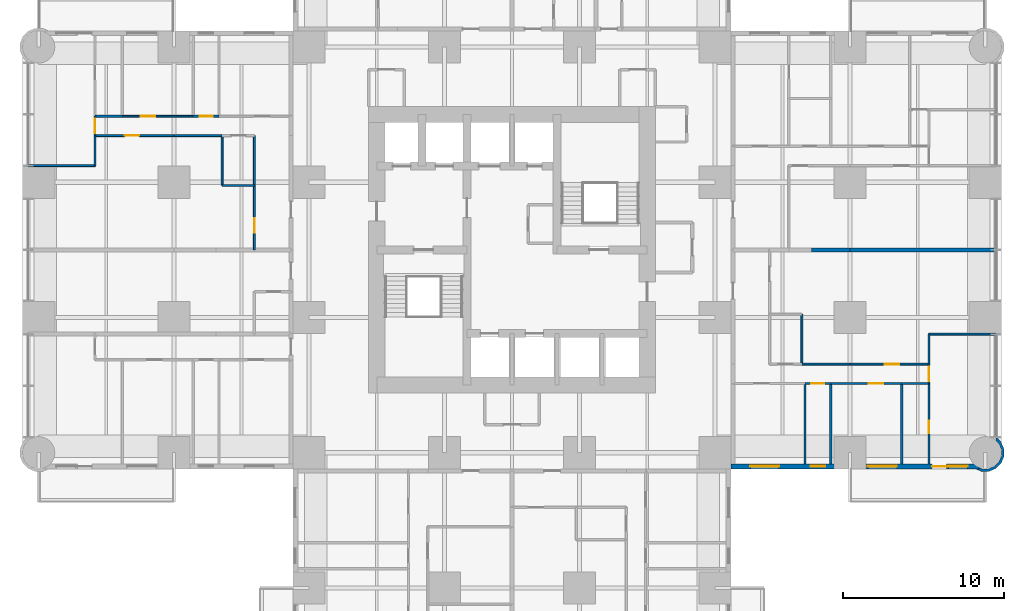
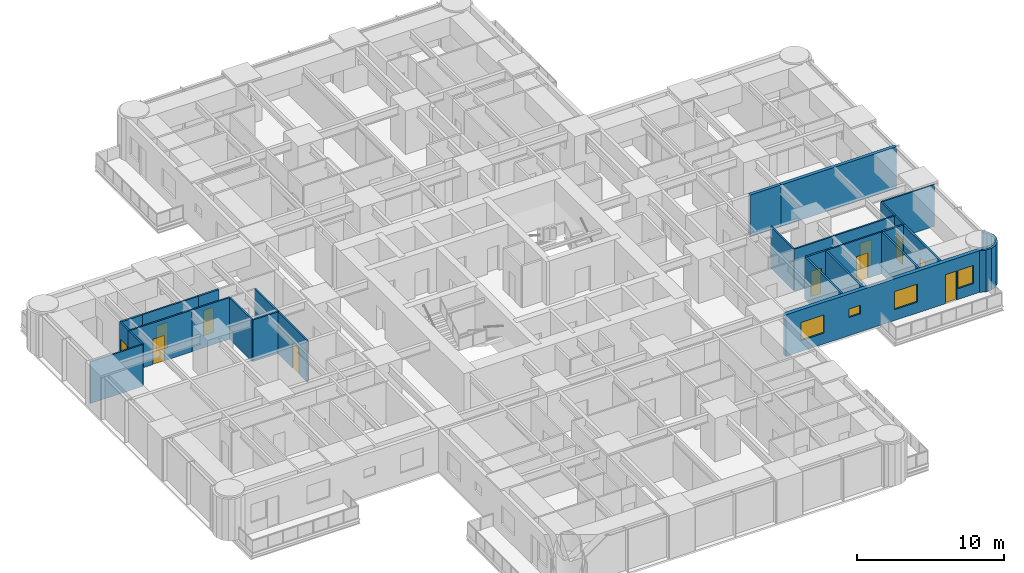
# One storey, part 11 of 17: 29 walls, 11 doors, 4 windows, 15 openings.
"""IFC4 building model written with IfcOpenShell, lengths in metres."""

from ifc_helpers import new_model, si_unit, direction, frame, frame_2d, origin, place, context, subcontext, project, spatial, polyline, rectangle, outline, extrude, material, layer, layer_set, type_object, element, fill, save


model = new_model("IFC4")

# Units and contexts
model_context = context("Model", 3, precision=1e-05, world=origin(), true_north=direction((0.0, 1.0)))
body_context = subcontext(model_context, "Body", "Model", "MODEL_VIEW")
ifc_project = project(units=[si_unit("LENGTHUNIT", "METRE"), si_unit("AREAUNIT", "SQUARE_METRE"), si_unit("VOLUMEUNIT", "CUBIC_METRE"), si_unit("PLANEANGLEUNIT", "RADIAN"), si_unit("MASSUNIT", "GRAM", prefix="KILO")], contexts=[model_context])

# Site, building, storey
site_placement = place(None, origin())
site = spatial("IfcSite", under=ifc_project, at=site_placement, CompositionType="ELEMENT")
building_placement = place(site_placement, origin())
building = spatial("IfcBuilding", under=site, at=building_placement, Name="Torre Alcanfor", CompositionType="ELEMENT")
storey_placement = place(building_placement, frame((0.0, 0.0, 95.699951171875)))
storey = spatial("IfcBuildingStorey", under=building, at=storey_placement, Name="L24", CompositionType="ELEMENT", Elevation=95.699951171875)

# Walls
ifc_material_1 = material(Name="Gypsum board on steel studs", Category="steel")
ifc_layer_1 = layer(ifc_material_1, 0.1201171875)
ifc_layer_set_1 = layer_set([ifc_layer_1], Name="Apartment partition 120")
wall_type_1 = type_object("IfcWallType", Name="Apartment partition 120", PredefinedType="PARTITIONING", material=ifc_layer_set_1)
wall_1_placement = place(storey_placement, frame((47.39990234375, 22.300048828125, 0.0), z_axis=(0.0, 0.0, 1.0), x_axis=(0.0, 1.0, 0.0)))
element("IfcWall", 1, at=wall_1_placement, inside=storey, type_object=wall_type_1, Name="Partition L24-E2-KITCHEN / L24-E2-UTIL", PredefinedType="PARTITIONING", context=body_context, shape_type="SweptSolid", body=[
    extrude(rectangle(XDim=3.099853515625, YDim=0.1201171875, at=frame_2d((1.5498046875, 0.0))), origin(), (0.0, 0.0, 1.0), 3.449951171875),
])
wall_2_placement = place(storey_placement, frame((50.39990234375, 22.300048828125, 0.0), z_axis=(0.0, 0.0, 1.0), x_axis=(-1.0, 0.0, 0.0)))
element("IfcWall", 2, at=wall_2_placement, inside=storey, type_object=wall_type_1, Name="Partition L24-E2-KITCHEN / L24-E2-HALL", PredefinedType="PARTITIONING", context=body_context, shape_type="SweptSolid", body=[
    extrude(rectangle(XDim=3.0, YDim=0.1201171875, at=frame_2d((1.5, 0.0))), origin(), (0.0, 0.0, 1.0), 3.449951171875),
])

# Wall, opening, door
wall_3_placement = place(storey_placement, frame((55.300048828125, 22.300048828125, 0.0), z_axis=(0.0, 0.0, 1.0), x_axis=(-1.0, 0.0, 0.0)))
wall_3 = element("IfcWall", 3, at=wall_3_placement, inside=storey, type_object=wall_type_1, Name="Partition L24-E2-LIVING / L24-E2-HALL", PredefinedType="PARTITIONING", context=body_context, shape_type="SweptSolid", body=[
    extrude(rectangle(XDim=4.900146484375, YDim=0.1201171875, at=frame_2d((2.4501953125, 0.0))), origin(), (0.0, 0.0, 1.0), 3.449951171875),
])
opening_1_placement = place(wall_3_placement, frame((1.85009765625, 0.0, 0.0)))
opening_1 = element("IfcOpeningElement", 4, at=opening_1_placement, cuts=wall_3, Name="Opening D-R1", PredefinedType="OPENING", context=body_context, shape_type="SweptSolid", body=[
    extrude(rectangle(XDim=0.89990234375, YDim=2.10009765625, at=frame_2d((0.449951171875, 1.050048828125))), frame((0.0, 0.070068359375, 0.0), z_axis=(0.0, -1.0, 0.0), x_axis=(1.0, 0.0, 0.0)), (0.0, 0.0, 1.0), 0.14013671875),
])
ifc_material_2 = material(Name="Timber", Category="wood")
door_type_1 = type_object("IfcDoorType", Name="Internal door 900x2100", OperationType="SINGLE_SWING_LEFT", PredefinedType="DOOR", material=ifc_material_2)
door_1_placement = place(opening_1_placement, frame((0.89990234375, 0.0, 0.0), z_axis=(0.0, 0.0, 1.0), x_axis=(-1.0, 0.0, 0.0)))
door_1 = element("IfcDoor", 5, at=door_1_placement, inside=storey, type_object=door_type_1, Name="Door L24-E2 living", OperationType="SINGLE_SWING_RIGHT", OverallHeight=2.10009765625, OverallWidth=0.89990234375, PredefinedType="DOOR", context=body_context, shape_type="SweptSolid", body=[
    extrude(rectangle(XDim=0.89990234375, YDim=2.10009765625, at=frame_2d((0.449951171875, 1.050048828125))), frame((0.0, 0.025146484375, 0.0), z_axis=(0.0, -1.0, 0.0), x_axis=(1.0, 0.0, 0.0)), (0.0, 0.0, 1.0), 0.050048828125),
])
fill(opening_1, door_1)

# Walls
wall_4_placement = place(storey_placement, frame((59.449951171875, 24.1708984375, 0.0), z_axis=(0.0, 0.0, 1.0), x_axis=(-1.0, 0.0, 0.0)))
element("IfcWall", 6, at=wall_4_placement, inside=storey, type_object=wall_type_1, Name="Partition L24-E2-LIVING / L24-E2-MASTER", PredefinedType="PARTITIONING", context=body_context, shape_type="SweptSolid", body=[
    extrude(rectangle(XDim=4.14990234375, YDim=0.1201171875, at=frame_2d((2.074951171875, 0.0))), origin(), (0.0, 0.0, 1.0), 3.449951171875),
])
wall_5_placement = place(storey_placement, frame((55.300048828125, 24.1708984375, 0.0), z_axis=(0.0, 0.0, 1.0), x_axis=(0.0, -1.0, 0.0)))
element("IfcWall", 7, at=wall_5_placement, inside=storey, type_object=wall_type_1, Name="Partition L24-E2-LIVING / L24-E2-MASTER", PredefinedType="PARTITIONING", context=body_context, shape_type="SweptSolid", body=[
    extrude(rectangle(XDim=1.870849609375, YDim=0.1201171875, at=frame_2d((0.935546875, 0.0))), origin(), (0.0, 0.0, 1.0), 3.449951171875),
])

# Wall, opening, door
wall_6_placement = place(storey_placement, frame((53.60009765625, 21.10009765625, 0.0), z_axis=(0.0, 0.0, 1.0), x_axis=(-1.0, 0.0, 0.0)))
wall_6 = element("IfcWall", 8, at=wall_6_placement, inside=storey, type_object=wall_type_1, Name="Partition L24-E2-HALL / L24-E2-BED2", PredefinedType="PARTITIONING", context=body_context, shape_type="SweptSolid", body=[
    extrude(rectangle(XDim=4.400146484375, YDim=0.1201171875, at=frame_2d((2.2001953125, 0.0))), origin(), (0.0, 0.0, 1.0), 3.449951171875),
])
opening_2_placement = place(wall_6_placement, frame((1.14990234375, 0.0, 0.0)))
opening_2 = element("IfcOpeningElement", 9, at=opening_2_placement, cuts=wall_6, Name="Opening D-R1", PredefinedType="OPENING", context=body_context, shape_type="SweptSolid", body=[
    extrude(rectangle(XDim=0.89990234375, YDim=2.10009765625, at=frame_2d((0.449951171875, 1.050048828125))), frame((0.0, 0.070068359375, 0.0), z_axis=(0.0, -1.0, 0.0), x_axis=(1.0, 0.0, 0.0)), (0.0, 0.0, 1.0), 0.14013671875),
])
door_2_placement = place(opening_2_placement, origin())
door_2 = element("IfcDoor", 10, at=door_2_placement, inside=storey, type_object=door_type_1, Name="Door L24-E2 bed2", OperationType="SINGLE_SWING_LEFT", OverallHeight=2.10009765625, OverallWidth=0.89990234375, PredefinedType="DOOR", context=body_context, shape_type="SweptSolid", body=[
    extrude(rectangle(XDim=0.89990234375, YDim=2.10009765625, at=frame_2d((0.449951171875, 1.050048828125))), frame((0.0, 0.02490234375, 0.0), z_axis=(0.0, -1.0, 0.0), x_axis=(1.0, 0.0, 0.0)), (0.0, 0.0, 1.0), 0.050048828125),
])
fill(opening_2, door_2)

wall_7_placement = place(storey_placement, frame((55.300048828125, 22.300048828125, 0.0), z_axis=(0.0, 0.0, 1.0), x_axis=(0.0, -1.0, 0.0)))
wall_7 = element("IfcWall", 11, at=wall_7_placement, inside=storey, type_object=wall_type_1, Name="Partition L24-E2-HALL / L24-E2-MASTER", PredefinedType="PARTITIONING", context=body_context, shape_type="SweptSolid", body=[
    extrude(rectangle(XDim=1.199951171875, YDim=0.1201171875, at=frame_2d((0.60009765625, 0.0))), origin(), (0.0, 0.0, 1.0), 3.449951171875),
])
opening_3_placement = place(wall_7_placement, frame((0.14990234375, 0.0, 0.0)))
opening_3 = element("IfcOpeningElement", 12, at=opening_3_placement, cuts=wall_7, Name="Opening D-R1", PredefinedType="OPENING", context=body_context, shape_type="SweptSolid", body=[
    extrude(rectangle(XDim=0.89990234375, YDim=2.10009765625, at=frame_2d((0.449951171875, 1.050048828125))), frame((0.0, 0.070068359375, 0.0), z_axis=(0.0, -1.0, 0.0), x_axis=(1.0, 0.0, 0.0)), (0.0, 0.0, 1.0), 0.14013671875),
])
door_3_placement = place(opening_3_placement, origin())
door_3 = element("IfcDoor", 13, at=door_3_placement, inside=storey, type_object=door_type_1, Name="Door L24-E2 master", OperationType="SINGLE_SWING_LEFT", OverallHeight=2.10009765625, OverallWidth=0.89990234375, PredefinedType="DOOR", context=body_context, shape_type="SweptSolid", body=[
    extrude(rectangle(XDim=0.89990234375, YDim=2.10009765625, at=frame_2d((0.449951171875, 1.050048828125))), frame((0.0, 0.02490234375, 0.0), z_axis=(0.0, -1.0, 0.0), x_axis=(1.0, 0.0, 0.0)), (0.0, 0.0, 1.0), 0.050048828125),
])
fill(opening_3, door_3)

wall_8_placement = place(storey_placement, frame((13.39990234375, 29.39990234375, 0.0), z_axis=(0.0, 0.0, 1.0), x_axis=(0.0, 1.0, 0.0)))
wall_8 = element("IfcWall", 14, at=wall_8_placement, inside=storey, type_object=wall_type_1, Name="Partition L24-W2-ZAG / L24-W2-KITCHEN", PredefinedType="PARTITIONING", context=body_context, shape_type="SweptSolid", body=[
    extrude(rectangle(XDim=4.0, YDim=0.1201171875, at=frame_2d((2.0, 0.0))), origin(), (0.0, 0.0, 1.0), 3.449951171875),
])
opening_4_placement = place(wall_8_placement, frame((1.050048828125, 0.0, 0.0)))
opening_4 = element("IfcOpeningElement", 15, at=opening_4_placement, cuts=wall_8, Name="Opening D-R1", PredefinedType="OPENING", context=body_context, shape_type="SweptSolid", body=[
    extrude(rectangle(XDim=0.89990234375, YDim=2.10009765625, at=frame_2d((0.449951171875, 1.050048828125))), frame((0.0, 0.070068359375, 0.0), z_axis=(0.0, -1.0, 0.0), x_axis=(1.0, 0.0, 0.0)), (0.0, 0.0, 1.0), 0.14013671875),
])
door_4_placement = place(opening_4_placement, origin())
door_4 = element("IfcDoor", 16, at=door_4_placement, inside=storey, type_object=door_type_1, Name="Door L24-W2 kitchen", OperationType="SINGLE_SWING_LEFT", OverallHeight=2.10009765625, OverallWidth=0.89990234375, PredefinedType="DOOR", context=body_context, shape_type="SweptSolid", body=[
    extrude(rectangle(XDim=0.89990234375, YDim=2.10009765625, at=frame_2d((0.449951171875, 1.050048828125))), frame((0.0, 0.02490234375, 0.0), z_axis=(0.0, -1.0, 0.0), x_axis=(1.0, 0.0, 0.0)), (0.0, 0.0, 1.0), 0.050048828125),
])
fill(opening_4, door_4)

# Walls
for number, where, z_axis, x_axis, name in (
    (17, (13.39990234375, 33.39990234375, 0.0), (0.0, 0.0, 1.0), (0.0, 1.0, 0.0), "Partition L24-W2-ZAG / L24-W2-UTIL"),
    (18, (11.39990234375, 36.5, 0.0), (0.0, 0.0, 1.0), (0.0, -1.0, 0.0), "Partition L24-W2-KITCHEN / L24-W2-UTIL"),
):
    element("IfcWall", number, at=place(storey_placement, frame(where, z_axis=z_axis, x_axis=x_axis)), inside=storey, type_object=wall_type_1, Name=name, PredefinedType="PARTITIONING", context=body_context, shape_type="SweptSolid", body=[
        extrude(rectangle(XDim=3.10009765625, YDim=0.1201171875, at=frame_2d((1.550048828125, 0.0))), origin(), (0.0, 0.0, 1.0), 3.449951171875),
    ])
wall_9_placement = place(storey_placement, frame((11.39990234375, 33.39990234375, 0.0), z_axis=(0.0, 0.0, 1.0), x_axis=(1.0, 0.0, 0.0)))
element("IfcWall", 19, at=wall_9_placement, inside=storey, type_object=wall_type_1, Name="Partition L24-W2-KITCHEN / L24-W2-UTIL", PredefinedType="PARTITIONING", context=body_context, shape_type="SweptSolid", body=[
    extrude(rectangle(XDim=2.0, YDim=0.1201171875, at=frame_2d((1.0, 0.0))), origin(), (0.0, 0.0, 1.0), 3.449951171875),
])
wall_10_placement = place(storey_placement, frame((8.39990234375, 36.5, 0.0), z_axis=(0.0, 0.0, 1.0), x_axis=(1.0, 0.0, 0.0)))
element("IfcWall", 20, at=wall_10_placement, inside=storey, type_object=wall_type_1, Name="Partition L24-W2-KITCHEN / L24-W2-HALL", PredefinedType="PARTITIONING", context=body_context, shape_type="SweptSolid", body=[
    extrude(rectangle(XDim=3.0, YDim=0.1201171875, at=frame_2d((1.5, 0.0))), origin(), (0.0, 0.0, 1.0), 3.449951171875),
])

# Wall, opening, door
wall_11_placement = place(storey_placement, frame((3.5, 36.5, 0.0), z_axis=(0.0, 0.0, 1.0), x_axis=(1.0, 0.0, 0.0)))
wall_11 = element("IfcWall", 21, at=wall_11_placement, inside=storey, type_object=wall_type_1, Name="Partition L24-W2-LIVING / L24-W2-HALL", PredefinedType="PARTITIONING", context=body_context, shape_type="SweptSolid", body=[
    extrude(rectangle(XDim=4.89990234375, YDim=0.1201171875, at=frame_2d((2.449951171875, 0.0))), origin(), (0.0, 0.0, 1.0), 3.449951171875),
])
opening_5_placement = place(wall_11_placement, frame((1.85009765625, 0.0, 0.0)))
opening_5 = element("IfcOpeningElement", 22, at=opening_5_placement, cuts=wall_11, Name="Opening D-R1", PredefinedType="OPENING", context=body_context, shape_type="SweptSolid", body=[
    extrude(rectangle(XDim=0.89990234375, YDim=2.10009765625, at=frame_2d((0.449951171875, 1.050048828125))), frame((0.0, 0.070068359375, 0.0), z_axis=(0.0, -1.0, 0.0), x_axis=(1.0, 0.0, 0.0)), (0.0, 0.0, 1.0), 0.14013671875),
])
door_5_placement = place(opening_5_placement, frame((0.89990234375, 0.0, 0.0), z_axis=(0.0, 0.0, 1.0), x_axis=(-1.0, 0.0, 0.0)))
door_5 = element("IfcDoor", 23, at=door_5_placement, inside=storey, type_object=door_type_1, Name="Door L24-W2 living", OperationType="SINGLE_SWING_RIGHT", OverallHeight=2.10009765625, OverallWidth=0.89990234375, PredefinedType="DOOR", context=body_context, shape_type="SweptSolid", body=[
    extrude(rectangle(XDim=0.89990234375, YDim=2.10009765625, at=frame_2d((0.449951171875, 1.050048828125))), frame((0.0, 0.025146484375, 0.0), z_axis=(0.0, -1.0, 0.0), x_axis=(1.0, 0.0, 0.0)), (0.0, 0.0, 1.0), 0.050048828125),
])
fill(opening_5, door_5)

# Walls
wall_12_placement = place(storey_placement, frame((-0.64990234375, 34.62890625, 0.0), z_axis=(0.0, 0.0, 1.0), x_axis=(1.0, 0.0, 0.0)))
element("IfcWall", 24, at=wall_12_placement, inside=storey, type_object=wall_type_1, Name="Partition L24-W2-LIVING / L24-W2-MASTER", PredefinedType="PARTITIONING", context=body_context, shape_type="SweptSolid", body=[
    extrude(rectangle(XDim=4.14990234375, YDim=0.1201171875, at=frame_2d((2.074951171875, 0.0))), origin(), (0.0, 0.0, 1.0), 3.449951171875),
])
wall_13_placement = place(storey_placement, frame((3.5, 34.62890625, 0.0), z_axis=(0.0, 0.0, 1.0), x_axis=(0.0, 1.0, 0.0)))
element("IfcWall", 25, at=wall_13_placement, inside=storey, type_object=wall_type_1, Name="Partition L24-W2-LIVING / L24-W2-MASTER", PredefinedType="PARTITIONING", context=body_context, shape_type="SweptSolid", body=[
    extrude(rectangle(XDim=1.87109375, YDim=0.1201171875, at=frame_2d((0.935546875, 0.0))), origin(), (0.0, 0.0, 1.0), 3.449951171875),
])

# Wall, opening, door
wall_14_placement = place(storey_placement, frame((5.199951171875, 37.699951171875, 0.0), z_axis=(0.0, 0.0, 1.0), x_axis=(1.0, 0.0, 0.0)))
wall_14 = element("IfcWall", 26, at=wall_14_placement, inside=storey, type_object=wall_type_1, Name="Partition L24-W2-HALL / L24-W2-BED2", PredefinedType="PARTITIONING", context=body_context, shape_type="SweptSolid", body=[
    extrude(rectangle(XDim=4.400146484375, YDim=0.1201171875, at=frame_2d((2.2001953125, 0.0))), origin(), (0.0, 0.0, 1.0), 3.449951171875),
])
opening_6_placement = place(wall_14_placement, frame((1.14990234375, 0.0, 0.0)))
opening_6 = element("IfcOpeningElement", 27, at=opening_6_placement, cuts=wall_14, Name="Opening D-R1", PredefinedType="OPENING", context=body_context, shape_type="SweptSolid", body=[
    extrude(rectangle(XDim=0.89990234375, YDim=2.10009765625, at=frame_2d((0.449951171875, 1.050048828125))), frame((0.0, 0.070068359375, 0.0), z_axis=(0.0, -1.0, 0.0), x_axis=(1.0, 0.0, 0.0)), (0.0, 0.0, 1.0), 0.14013671875),
])
door_6_placement = place(opening_6_placement, origin())
door_6 = element("IfcDoor", 28, at=door_6_placement, inside=storey, type_object=door_type_1, Name="Door L24-W2 bed2", OperationType="SINGLE_SWING_LEFT", OverallHeight=2.10009765625, OverallWidth=0.89990234375, PredefinedType="DOOR", context=body_context, shape_type="SweptSolid", body=[
    extrude(rectangle(XDim=0.89990234375, YDim=2.10009765625, at=frame_2d((0.449951171875, 1.050048828125))), frame((0.0, 0.02490234375, 0.0), z_axis=(0.0, -1.0, 0.0), x_axis=(1.0, 0.0, 0.0)), (0.0, 0.0, 1.0), 0.050048828125),
])
fill(opening_6, door_6)

wall_15_placement = place(storey_placement, frame((3.5, 36.5, 0.0), z_axis=(0.0, 0.0, 1.0), x_axis=(0.0, 1.0, 0.0)))
wall_15 = element("IfcWall", 29, at=wall_15_placement, inside=storey, type_object=wall_type_1, Name="Partition L24-W2-HALL / L24-W2-MASTER", PredefinedType="PARTITIONING", context=body_context, shape_type="SweptSolid", body=[
    extrude(rectangle(XDim=1.199951171875, YDim=0.1201171875, at=frame_2d((0.60009765625, 0.0))), origin(), (0.0, 0.0, 1.0), 3.449951171875),
])
opening_7_placement = place(wall_15_placement, frame((0.14990234375, 0.0, 0.0)))
opening_7 = element("IfcOpeningElement", 30, at=opening_7_placement, cuts=wall_15, Name="Opening D-R1", PredefinedType="OPENING", context=body_context, shape_type="SweptSolid", body=[
    extrude(rectangle(XDim=0.89990234375, YDim=2.10009765625, at=frame_2d((0.449951171875, 1.050048828125))), frame((0.0, 0.070068359375, 0.0), z_axis=(0.0, -1.0, 0.0), x_axis=(1.0, 0.0, 0.0)), (0.0, 0.0, 1.0), 0.14013671875),
])
door_7_placement = place(opening_7_placement, origin())
door_7 = element("IfcDoor", 31, at=door_7_placement, inside=storey, type_object=door_type_1, Name="Door L24-W2 master", OperationType="SINGLE_SWING_LEFT", OverallHeight=2.10009765625, OverallWidth=0.89990234375, PredefinedType="DOOR", context=body_context, shape_type="SweptSolid", body=[
    extrude(rectangle(XDim=0.89990234375, YDim=2.10009765625, at=frame_2d((0.449951171875, 1.050048828125))), frame((0.0, 0.02490234375, 0.0), z_axis=(0.0, -1.0, 0.0), x_axis=(1.0, 0.0, 0.0)), (0.0, 0.0, 1.0), 0.050048828125),
])
fill(opening_7, door_7)

# Wall, openings, door, windows
ifc_material_3 = material(Name="Limestone cladding", Category="masonry")
ifc_layer_2 = layer(ifc_material_3, 0.0400390625, Name="Facing")
ifc_material_4 = material(Name="Ventilated air cavity")
ifc_layer_3 = layer(ifc_material_4, 0.02001953125, ventilated=True, Name="Ventilated joint")
ifc_material_5 = material(Name="Mineral wool insulation", Category="insulation")
ifc_layer_4 = layer(ifc_material_5, 0.10009765625, Name="Insulation")
ifc_material_6 = material(Name="Concrete f'c 35 MPa", Category="concrete")
ifc_layer_5 = layer(ifc_material_6, 0.139892578125, Name="Backing")
ifc_layer_set_2 = layer_set([ifc_layer_2, ifc_layer_3, ifc_layer_4, ifc_layer_5], Name="External wall stone-clad 300")
wall_type_2 = type_object("IfcWallType", Name="External wall stone-clad 300", PredefinedType="SOLIDWALL", material=ifc_layer_set_2)
wall_16_placement = place(storey_placement, frame((43.0, 15.949951171875, 0.0), z_axis=(0.0, 0.0, 1.0), x_axis=(1.0, 0.0, 0.0)))
wall_16 = element("IfcWall", 32, at=wall_16_placement, inside=storey, type_object=wall_type_2, Name="External wall L24 7", PredefinedType="SOLIDWALL", context=body_context, shape_type="SweptSolid", body=[
    extrude(rectangle(XDim=15.39990234375, YDim=0.300048828125, at=frame_2d((7.699951171875, 0.0))), origin(), (0.0, 0.0, 1.0), 3.449951171875),
])
opening_8_placement = place(wall_16_placement, frame((1.199951171875, 0.0, 0.89990234375)))
opening_8 = element("IfcOpeningElement", 33, at=opening_8_placement, cuts=wall_16, Name="Opening W2", PredefinedType="OPENING", context=body_context, shape_type="SweptSolid", body=[
    extrude(rectangle(XDim=1.800048828125, YDim=1.5, at=frame_2d((0.89990234375, 0.75))), frame((0.0, 0.159912109375, 0.0), z_axis=(0.0, -1.0, 0.0), x_axis=(1.0, 0.0, 0.0)), (0.0, 0.0, 1.0), 0.320068359375),
])
opening_9_placement = place(wall_16_placement, frame((4.949951171875, 0.0, 1.5)))
opening_9 = element("IfcOpeningElement", 34, at=opening_9_placement, cuts=wall_16, Name="Opening W3", PredefinedType="OPENING", context=body_context, shape_type="SweptSolid", body=[
    extrude(rectangle(XDim=0.89990234375, YDim=0.699951171875, at=frame_2d((0.449951171875, 0.35009765625))), frame((0.0, 0.159912109375, 0.0), z_axis=(0.0, -1.0, 0.0), x_axis=(1.0, 0.0, 0.0)), (0.0, 0.0, 1.0), 0.320068359375),
])
opening_10_placement = place(wall_16_placement, frame((8.5, 0.0, 0.89990234375)))
opening_10 = element("IfcOpeningElement", 35, at=opening_10_placement, cuts=wall_16, Name="Opening W2", PredefinedType="OPENING", context=body_context, shape_type="SweptSolid", body=[
    extrude(rectangle(XDim=1.800048828125, YDim=1.5, at=frame_2d((0.89990234375, 0.75))), frame((0.0, 0.159912109375, 0.0), z_axis=(0.0, -1.0, 0.0), x_axis=(1.0, 0.0, 0.0)), (0.0, 0.0, 1.0), 0.320068359375),
])
opening_11_placement = place(wall_16_placement, frame((12.5, 0.0, 0.0)))
opening_11 = element("IfcOpeningElement", 36, at=opening_11_placement, cuts=wall_16, Name="Opening D-B1", PredefinedType="OPENING", context=body_context, shape_type="SweptSolid", body=[
    extrude(rectangle(XDim=0.89990234375, YDim=2.39990234375, at=frame_2d((0.449951171875, 1.199951171875))), frame((0.0, 0.159912109375, 0.0), z_axis=(0.0, -1.0, 0.0), x_axis=(1.0, 0.0, 0.0)), (0.0, 0.0, 1.0), 0.320068359375),
])
opening_12_placement = place(wall_16_placement, frame((13.5, 0.0, 0.89990234375)))
opening_12 = element("IfcOpeningElement", 37, at=opening_12_placement, cuts=wall_16, Name="Opening W4", PredefinedType="OPENING", context=body_context, shape_type="SweptSolid", body=[
    extrude(rectangle(XDim=1.199951171875, YDim=1.5, at=frame_2d((0.60009765625, 0.75))), frame((0.0, 0.159912109375, 0.0), z_axis=(0.0, -1.0, 0.0), x_axis=(1.0, 0.0, 0.0)), (0.0, 0.0, 1.0), 0.320068359375),
])
ifc_material_7 = material(Name="Aluminium and glass", Category="aluminium")
door_type_2 = type_object("IfcDoorType", Name="Balcony door glazed 900x2400", OperationType="SINGLE_SWING_LEFT", PredefinedType="DOOR", material=ifc_material_7)
door_8_placement = place(opening_11_placement, origin())
door_8 = element("IfcDoor", 38, at=door_8_placement, inside=storey, type_object=door_type_2, Name="Balcony door L24-E2", OperationType="SINGLE_SWING_LEFT", OverallHeight=2.39990234375, OverallWidth=0.89990234375, PredefinedType="DOOR", context=body_context, shape_type="SweptSolid", body=[
    extrude(rectangle(XDim=0.89990234375, YDim=2.39990234375, at=frame_2d((0.449951171875, 1.199951171875))), frame((0.0, 0.02490234375, 0.0), z_axis=(0.0, -1.0, 0.0), x_axis=(1.0, 0.0, 0.0)), (0.0, 0.0, 1.0), 0.050048828125),
])
fill(opening_11, door_8)
ifc_material_8 = material(Name="Aluminium frame with clear double glazing", Category="aluminium")
window_type_1 = type_object("IfcWindowType", Name="Window bathroom 900x700", PartitioningType="SINGLE_PANEL", PredefinedType="WINDOW", material=ifc_material_8)
window_1_placement = place(opening_9_placement, origin())
window_1 = element("IfcWindow", 39, at=window_1_placement, inside=storey, type_object=window_type_1, Name="Window W3 L24-E2", OverallHeight=0.699951171875, OverallWidth=0.89990234375, PartitioningType="SINGLE_PANEL", PredefinedType="WINDOW", context=body_context, shape_type="SweptSolid", body=[
    extrude(rectangle(XDim=0.89990234375, YDim=0.699951171875, at=frame_2d((0.449951171875, 0.35009765625))), frame((0.0, 0.030029296875, 0.0), z_axis=(0.0, -1.0, 0.0), x_axis=(1.0, 0.0, 0.0)), (0.0, 0.0, 1.0), 0.06005859375),
])
fill(opening_9, window_1)
ifc_material_9 = material(Name="Aluminium frame with clear double glazing", Category="aluminium")
window_type_2 = type_object("IfcWindowType", Name="Window bedroom 1200x1500", PartitioningType="SINGLE_PANEL", PredefinedType="WINDOW", material=ifc_material_9)
window_2_placement = place(opening_12_placement, origin())
window_2 = element("IfcWindow", 40, at=window_2_placement, inside=storey, type_object=window_type_2, Name="Window W4 L24-E2", OverallHeight=1.5, OverallWidth=1.199951171875, PartitioningType="SINGLE_PANEL", PredefinedType="WINDOW", context=body_context, shape_type="SweptSolid", body=[
    extrude(rectangle(XDim=1.199951171875, YDim=1.5, at=frame_2d((0.60009765625, 0.75))), frame((0.0, 0.030029296875, 0.0), z_axis=(0.0, -1.0, 0.0), x_axis=(1.0, 0.0, 0.0)), (0.0, 0.0, 1.0), 0.06005859375),
])
fill(opening_12, window_2)
ifc_material_10 = material(Name="Aluminium frame with clear double glazing", Category="aluminium")
window_type_3 = type_object("IfcWindowType", Name="Window bedroom 1800x1500", PartitioningType="SINGLE_PANEL", PredefinedType="WINDOW", material=ifc_material_10)
window_3_placement = place(opening_8_placement, origin())
window_3 = element("IfcWindow", 41, at=window_3_placement, inside=storey, type_object=window_type_3, Name="Window W2 L24-E2", OverallHeight=1.5, OverallWidth=1.800048828125, PartitioningType="SINGLE_PANEL", PredefinedType="WINDOW", context=body_context, shape_type="SweptSolid", body=[
    extrude(rectangle(XDim=1.800048828125, YDim=1.5, at=frame_2d((0.89990234375, 0.75))), frame((0.0, 0.030029296875, 0.0), z_axis=(0.0, -1.0, 0.0), x_axis=(1.0, 0.0, 0.0)), (0.0, 0.0, 1.0), 0.06005859375),
])
fill(opening_8, window_3)
window_4_placement = place(opening_10_placement, origin())
window_4 = element("IfcWindow", 42, at=window_4_placement, inside=storey, type_object=window_type_3, Name="Window W2 L24-E2", OverallHeight=1.5, OverallWidth=1.800048828125, PartitioningType="SINGLE_PANEL", PredefinedType="WINDOW", context=body_context, shape_type="SweptSolid", body=[
    extrude(rectangle(XDim=1.800048828125, YDim=1.5, at=frame_2d((0.89990234375, 0.75))), frame((0.0, 0.030029296875, 0.0), z_axis=(0.0, -1.0, 0.0), x_axis=(1.0, 0.0, 0.0)), (0.0, 0.0, 1.0), 0.06005859375),
])
fill(opening_10, window_4)

# Walls
ifc_material_11 = material(Name="Concrete block masonry, hollow blocks NMX-C-404 9 MPa", Category="masonry")
ifc_layer_6 = layer(ifc_material_11, 0.25)
ifc_layer_set_3 = layer_set([ifc_layer_6], Name="Party wall 250 EI 60")
wall_type_3 = type_object("IfcWallType", Name="Party wall 250 EI 60", PredefinedType="PARTITIONING", material=ifc_layer_set_3)
wall_17_placement = place(storey_placement, frame((48.0, 29.39990234375, 0.0), z_axis=(0.0, 0.0, 1.0), x_axis=(1.0, 0.0, 0.0)))
element("IfcWall", 43, at=wall_17_placement, inside=storey, type_object=wall_type_3, Name="Partition L24-E1-KITCHEN / L24-E2-KITCHEN", PredefinedType="PARTITIONING", context=body_context, shape_type="SweptSolid", body=[
    extrude(rectangle(XDim=2.39990234375, YDim=0.25, at=frame_2d((1.199951171875, 0.0))), origin(), (0.0, 0.0, 1.0), 3.449951171875),
])
wall_18_placement = place(storey_placement, frame((50.39990234375, 29.39990234375, 0.0), z_axis=(0.0, 0.0, 1.0), x_axis=(1.0, 0.0, 0.0)))
element("IfcWall", 44, at=wall_18_placement, inside=storey, type_object=wall_type_3, Name="Partition L24-E1-LIVING / L24-E2-LIVING", PredefinedType="PARTITIONING", context=body_context, shape_type="SweptSolid", body=[
    extrude(rectangle(XDim=9.050048828125, YDim=0.25, at=frame_2d((4.52490234375, 0.0))), origin(), (0.0, 0.0, 1.0), 3.449951171875),
])
ifc_layer_7 = layer(ifc_material_3, 0.0400390625, Name="Facing")
ifc_layer_8 = layer(ifc_material_4, 0.02001953125, ventilated=True, Name="Ventilated joint")
ifc_layer_9 = layer(ifc_material_5, 0.10009765625, Name="Insulation")
ifc_layer_10 = layer(ifc_material_6, 0.139892578125, Name="Backing")
ifc_layer_set_4 = layer_set([ifc_layer_7, ifc_layer_8, ifc_layer_9, ifc_layer_10], Name="Rounded corner pier stone-clad 300")
wall_type_4 = type_object("IfcWallType", Name="Rounded corner pier stone-clad 300", PredefinedType="SOLIDWALL", material=ifc_layer_set_4)
wall_19_placement = place(storey_placement, frame((58.23289825, 15.880872367, 0.0), z_axis=(0.0, 0.0, 1.0), x_axis=(0.831199417842, -0.555974394895, 0.0)))
element("IfcWall", 45, at=wall_19_placement, inside=storey, type_object=wall_type_4, Name="Corner pier L24 17", PredefinedType="SOLIDWALL", context=body_context, shape_type="SweptSolid", body=[
    extrude(outline(polyline([(0.07490720727941269, 2.077056255461323), (0.35058090932236585, 2.0223606576391724), (0.6817630015684193, 1.801245056986267), (0.903148313597983, 1.470266968485048), (0.9810743332201726, 1.079752919387694), (0.9033971723616075, 0.6891358831375273), (0.6822815717087017, 0.357953790891474), (0.3513034832074829, 0.13656847886191043), (0.12609277122820509, 0.09166858659136967), (0.18374952362157154, 0.02566952150671363), (0.0035480873315148972, -0.09486398988645157), (0.41362540229185946, -0.013251520497138292), (0.7971622430443449, 0.2432893990220985), (1.053204411415727, 0.6272053345699222), (1.1431780027429084, 1.0797981539575094), (1.0527653834116597, 1.5324531516331712), (0.796224463892423, 1.9159899923856565), (0.4125114578899711, 2.172167896693292), (0.01728884083330451, 2.2505828385341395), (-0.023094138695660904, 2.22357138721968), (0.07490720727941269, 2.077056255461323)])), origin(), (0.0, 0.0, 1.0), 3.449951171875),
])

# Wall, opening, door
ifc_material_12 = material(Name="Cement board on steel studs", Category="steel")
ifc_layer_11 = layer(ifc_material_12, 0.14990234375)
ifc_layer_set_5 = layer_set([ifc_layer_11], Name="Wet area partition 150")
wall_type_5 = type_object("IfcWallType", Name="Wet area partition 150", PredefinedType="PARTITIONING", material=ifc_layer_set_5)
wall_20_placement = place(storey_placement, frame((49.199951171875, 21.10009765625, 0.0), z_axis=(0.0, 0.0, 1.0), x_axis=(-1.0, 0.0, 0.0)))
wall_20 = element("IfcWall", 46, at=wall_20_placement, inside=storey, type_object=wall_type_5, Name="Partition L24-E2-HALL / L24-E2-BATH1", PredefinedType="PARTITIONING", context=body_context, shape_type="SweptSolid", body=[
    extrude(rectangle(XDim=1.599853515625, YDim=0.14990234375, at=frame_2d((0.7998046875, 0.0))), origin(), (0.0, 0.0, 1.0), 3.449951171875),
])
opening_13_placement = place(wall_20_placement, frame((0.39990234375, 0.0, 0.0)))
opening_13 = element("IfcOpeningElement", 47, at=opening_13_placement, cuts=wall_20, Name="Opening D-R2", PredefinedType="OPENING", context=body_context, shape_type="SweptSolid", body=[
    extrude(rectangle(XDim=0.800048828125, YDim=2.10009765625, at=frame_2d((0.39990234375, 1.050048828125))), frame((0.0, 0.0849609375, 0.0), z_axis=(0.0, -1.0, 0.0), x_axis=(1.0, 0.0, 0.0)), (0.0, 0.0, 1.0), 0.169921875),
])
ifc_material_13 = material(Name="Timber", Category="wood")
door_type_3 = type_object("IfcDoorType", Name="Bathroom door 800x2100", OperationType="SINGLE_SWING_LEFT", PredefinedType="DOOR", material=ifc_material_13)
door_9_placement = place(opening_13_placement, origin())
door_9 = element("IfcDoor", 48, at=door_9_placement, inside=storey, type_object=door_type_3, Name="Door L24-E2 bath1", OperationType="SINGLE_SWING_LEFT", OverallHeight=2.10009765625, OverallWidth=0.800048828125, PredefinedType="DOOR", context=body_context, shape_type="SweptSolid", body=[
    extrude(rectangle(XDim=0.800048828125, YDim=2.10009765625, at=frame_2d((0.39990234375, 1.050048828125))), frame((0.0, 0.02490234375, 0.0), z_axis=(0.0, -1.0, 0.0), x_axis=(1.0, 0.0, 0.0)), (0.0, 0.0, 1.0), 0.050048828125),
])
fill(opening_13, door_9)

# Walls
wall_21_placement = place(storey_placement, frame((55.300048828125, 21.10009765625, 0.0), z_axis=(0.0, 0.0, 1.0), x_axis=(-1.0, 0.0, 0.0)))
element("IfcWall", 49, at=wall_21_placement, inside=storey, type_object=wall_type_5, Name="Partition L24-E2-HALL / L24-E2-ENSBATH", PredefinedType="PARTITIONING", context=body_context, shape_type="SweptSolid", body=[
    extrude(rectangle(XDim=1.699951171875, YDim=0.14990234375, at=frame_2d((0.85009765625, 0.0))), origin(), (0.0, 0.0, 1.0), 3.449951171875),
])
for number, where, z_axis, x_axis, name in (
    (50, (47.60009765625, 21.10009765625, 0.0), (0.0, 0.0, 1.0), (0.0, -1.0, 0.0), "Partition L24-E2-BED3 / L24-E2-BATH1"),
    (51, (49.199951171875, 21.10009765625, 0.0), (0.0, 0.0, 1.0), (0.0, -1.0, 0.0), "Partition L24-E2-BATH1 / L24-E2-BED2"),
    (52, (53.60009765625, 21.10009765625, 0.0), (0.0, 0.0, 1.0), (0.0, -1.0, 0.0), "Partition L24-E2-BED2 / L24-E2-ENSBATH"),
):
    element("IfcWall", number, at=place(storey_placement, frame(where, z_axis=z_axis, x_axis=x_axis)), inside=storey, type_object=wall_type_5, Name=name, PredefinedType="PARTITIONING", context=body_context, shape_type="SweptSolid", body=[
        extrude(rectangle(XDim=5.0, YDim=0.14990234375, at=frame_2d((2.5, 0.0))), origin(), (0.0, 0.0, 1.0), 3.449951171875),
    ])

# Wall, opening, door
wall_22_placement = place(storey_placement, frame((55.300048828125, 21.10009765625, 0.0), z_axis=(0.0, 0.0, 1.0), x_axis=(0.0, -1.0, 0.0)))
wall_22 = element("IfcWall", 53, at=wall_22_placement, inside=storey, type_object=wall_type_5, Name="Partition L24-E2-ENSBATH / L24-E2-MASTER", PredefinedType="PARTITIONING", context=body_context, shape_type="SweptSolid", body=[
    extrude(rectangle(XDim=5.0, YDim=0.14990234375, at=frame_2d((2.5, 0.0))), origin(), (0.0, 0.0, 1.0), 3.449951171875),
])
opening_14_placement = place(wall_22_placement, frame((2.300048828125, 0.0, 0.0)))
opening_14 = element("IfcOpeningElement", 54, at=opening_14_placement, cuts=wall_22, Name="Opening D-R2", PredefinedType="OPENING", context=body_context, shape_type="SweptSolid", body=[
    extrude(rectangle(XDim=0.800048828125, YDim=2.10009765625, at=frame_2d((0.39990234375, 1.050048828125))), frame((0.0, 0.0849609375, 0.0), z_axis=(0.0, -1.0, 0.0), x_axis=(1.0, 0.0, 0.0)), (0.0, 0.0, 1.0), 0.169921875),
])
door_10_placement = place(opening_14_placement, frame((0.800048828125, 0.0, 0.0), z_axis=(0.0, 0.0, 1.0), x_axis=(-1.0, 0.0, 0.0)))
door_10 = element("IfcDoor", 55, at=door_10_placement, inside=storey, type_object=door_type_3, Name="Door L24-E2 ensbath", OperationType="SINGLE_SWING_LEFT", OverallHeight=2.10009765625, OverallWidth=0.800048828125, PredefinedType="DOOR", context=body_context, shape_type="SweptSolid", body=[
    extrude(rectangle(XDim=0.800048828125, YDim=2.10009765625, at=frame_2d((0.400146484375, 1.050048828125))), frame((0.0, 0.025146484375, 0.0), z_axis=(0.0, -1.0, 0.0), x_axis=(1.0, 0.0, 0.0)), (0.0, 0.0, 1.0), 0.050048828125),
])
fill(opening_14, door_10)

wall_23_placement = place(storey_placement, frame((9.60009765625, 37.699951171875, 0.0), z_axis=(0.0, 0.0, 1.0), x_axis=(1.0, 0.0, 0.0)))
wall_23 = element("IfcWall", 56, at=wall_23_placement, inside=storey, type_object=wall_type_5, Name="Partition L24-W2-HALL / L24-W2-BATH1", PredefinedType="PARTITIONING", context=body_context, shape_type="SweptSolid", body=[
    extrude(rectangle(XDim=1.599853515625, YDim=0.14990234375, at=frame_2d((0.7998046875, 0.0))), origin(), (0.0, 0.0, 1.0), 3.449951171875),
])
opening_15_placement = place(wall_23_placement, frame((0.39990234375, 0.0, 0.0)))
opening_15 = element("IfcOpeningElement", 57, at=opening_15_placement, cuts=wall_23, Name="Opening D-R2", PredefinedType="OPENING", context=body_context, shape_type="SweptSolid", body=[
    extrude(rectangle(XDim=0.800048828125, YDim=2.10009765625, at=frame_2d((0.39990234375, 1.050048828125))), frame((0.0, 0.0849609375, 0.0), z_axis=(0.0, -1.0, 0.0), x_axis=(1.0, 0.0, 0.0)), (0.0, 0.0, 1.0), 0.169921875),
])
door_11_placement = place(opening_15_placement, origin())
door_11 = element("IfcDoor", 58, at=door_11_placement, inside=storey, type_object=door_type_3, Name="Door L24-W2 bath1", OperationType="SINGLE_SWING_LEFT", OverallHeight=2.10009765625, OverallWidth=0.800048828125, PredefinedType="DOOR", context=body_context, shape_type="SweptSolid", body=[
    extrude(rectangle(XDim=0.800048828125, YDim=2.10009765625, at=frame_2d((0.39990234375, 1.050048828125))), frame((0.0, 0.02490234375, 0.0), z_axis=(0.0, -1.0, 0.0), x_axis=(1.0, 0.0, 0.0)), (0.0, 0.0, 1.0), 0.050048828125),
])
fill(opening_15, door_11)

# Wall
wall_24_placement = place(storey_placement, frame((3.5, 37.699951171875, 0.0), z_axis=(0.0, 0.0, 1.0), x_axis=(1.0, 0.0, 0.0)))
element("IfcWall", 59, at=wall_24_placement, inside=storey, type_object=wall_type_5, Name="Partition L24-W2-HALL / L24-W2-ENSBATH", PredefinedType="PARTITIONING", context=body_context, shape_type="SweptSolid", body=[
    extrude(rectangle(XDim=1.699951171875, YDim=0.14990234375, at=frame_2d((0.85009765625, 0.0))), origin(), (0.0, 0.0, 1.0), 3.449951171875),
])

save(model, "model.ifc")
